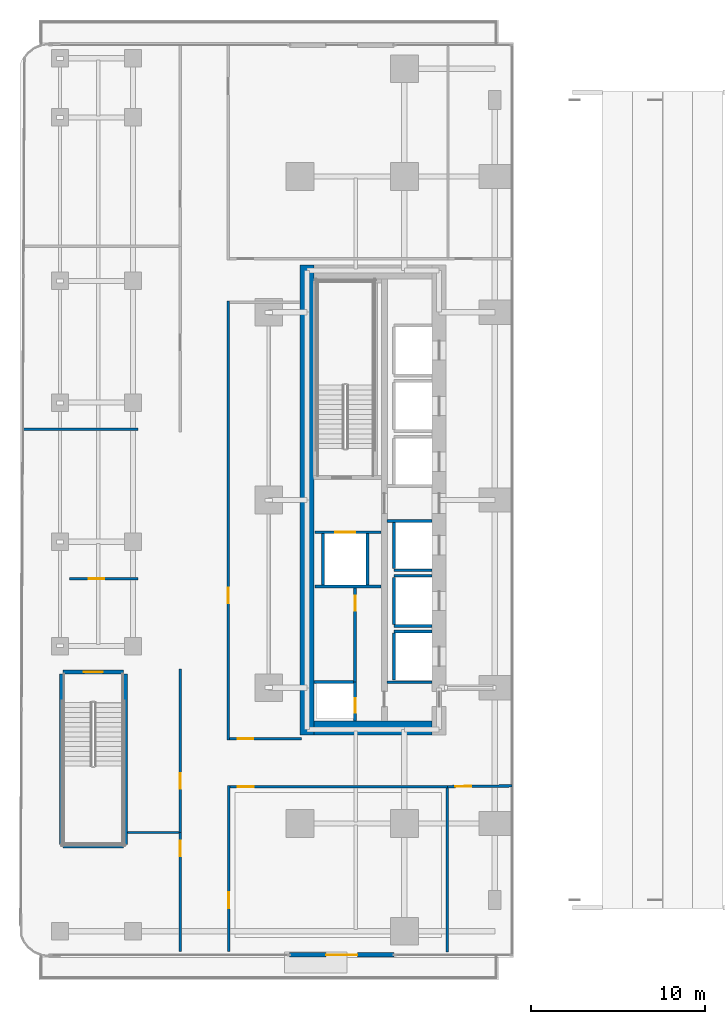
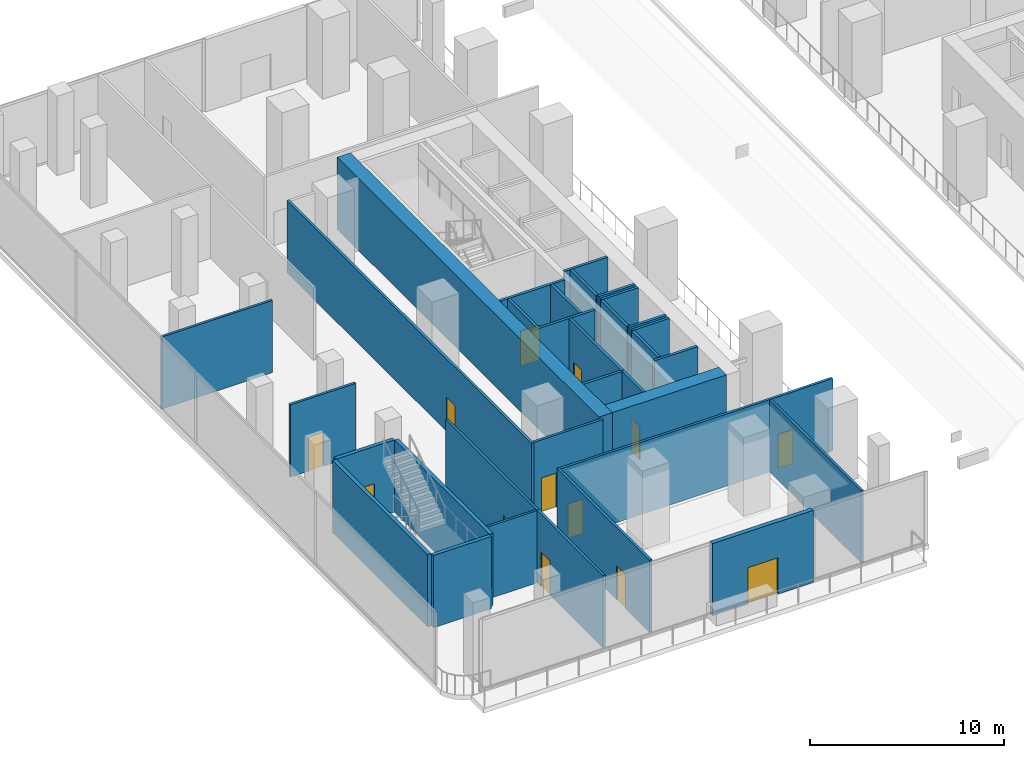
# One storey, part 10 of 32: 34 walls, 13 doors, 13 openings.
"""IFC4 building model written with IfcOpenShell, lengths in metres."""

from ifc_helpers import new_model, si_unit, direction, frame, frame_2d, origin, place, context, subcontext, project, spatial, rectangle, extrude, material, layer, layer_set, type_object, element, fill, save


model = new_model("IFC4")

# Units and contexts
model_context = context("Model", 3, precision=1e-05, world=origin(), true_north=direction((0.0, 1.0)))
body_context = subcontext(model_context, "Body", "Model", "MODEL_VIEW")
ifc_project = project(units=[si_unit("LENGTHUNIT", "METRE"), si_unit("AREAUNIT", "SQUARE_METRE"), si_unit("VOLUMEUNIT", "CUBIC_METRE"), si_unit("PLANEANGLEUNIT", "RADIAN"), si_unit("MASSUNIT", "GRAM", prefix="KILO")], contexts=[model_context])

# Site, building, storey
site_placement = place(None, origin())
site = spatial("IfcSite", under=ifc_project, at=site_placement, CompositionType="ELEMENT")
building_placement = place(site_placement, origin())
building = spatial("IfcBuilding", under=site, at=building_placement, Name="Khairoan Windgate Tower", CompositionType="ELEMENT")
storey_placement = place(building_placement, frame((0.0, 0.0, 16.0)))
storey = spatial("IfcBuildingStorey", under=building, at=storey_placement, Name="L04", CompositionType="ELEMENT", Elevation=16.0)

# Walls
ifc_material_1 = material(Name="Concrete C40/50", Category="concrete")
ifc_layer_1 = layer(ifc_material_1, 0.159912109375, Name="Concrete C40/50")
ifc_layer_set_1 = layer_set([ifc_layer_1], Name="Concrete C40/50")
wall_type_1 = type_object("IfcWallType", Name="Core and Hoistway Enclosure Wall", PredefinedType="STANDARD", material=ifc_layer_set_1)
wall_1_placement = place(storey_placement, frame((-14.989990234375, -4.0400390625, 0.0), z_axis=(0.0, 0.0, 1.0), x_axis=(1.0, 0.0, 0.0)))
element("IfcWall", 1, at=wall_1_placement, inside=storey, type_object=wall_type_1, Name="L04 Lift PL4 Hoistway Divider S", PredefinedType="STANDARD", context=body_context, shape_type="SweptSolid", body=[
    extrude(rectangle(XDim=2.18994140625, YDim=0.159912109375, at=frame_2d((1.094970703125, 0.0))), origin(), (0.0, 0.0, 1.0), 4.550048828125),
])
wall_2_placement = place(storey_placement, frame((-14.989990234375, -3.949951171875, 0.0), z_axis=(0.0, 0.0, 1.0), x_axis=(0.0, 1.0, 0.0)))
element("IfcWall", 2, at=wall_2_placement, inside=storey, type_object=wall_type_1, Name="L04 Lift PL4 Hoistway Back Wall", PredefinedType="STANDARD", context=body_context, shape_type="SweptSolid", body=[
    extrude(rectangle(XDim=2.699951171875, YDim=0.159912109375, at=frame_2d((1.35009765625, 0.0))), origin(), (0.0, 0.0, 1.0), 4.550048828125),
])
for number, where, z_axis, x_axis, name in (
    (3, (-14.989990234375, -7.239990234375, 0.0), (0.0, 0.0, 1.0), (1.0, 0.0, 0.0), "L04 Lift PL5 Hoistway Divider S"),
    (4, (-14.989990234375, -4.360107421875, 0.0), (0.0, 0.0, 1.0), (1.0, 0.0, 0.0), "L04 Lift PL5 Hoistway Divider N"),
):
    element("IfcWall", number, at=place(storey_placement, frame(where, z_axis=z_axis, x_axis=x_axis)), inside=storey, type_object=wall_type_1, Name=name, PredefinedType="STANDARD", context=body_context, shape_type="SweptSolid", body=[
        extrude(rectangle(XDim=2.18994140625, YDim=0.159912109375, at=frame_2d((1.094970703125, 0.0))), origin(), (0.0, 0.0, 1.0), 4.550048828125),
    ])
wall_3_placement = place(storey_placement, frame((-14.989990234375, -7.14990234375, 0.0), z_axis=(0.0, 0.0, 1.0), x_axis=(0.0, 1.0, 0.0)))
element("IfcWall", 5, at=wall_3_placement, inside=storey, type_object=wall_type_1, Name="L04 Lift PL5 Hoistway Back Wall", PredefinedType="STANDARD", context=body_context, shape_type="SweptSolid", body=[
    extrude(rectangle(XDim=2.699951171875, YDim=0.159912109375, at=frame_2d((1.35009765625, 0.0))), origin(), (0.0, 0.0, 1.0), 4.550048828125),
])
wall_4_placement = place(storey_placement, frame((-14.989990234375, -7.56005859375, 0.0), z_axis=(0.0, 0.0, 1.0), x_axis=(1.0, 0.0, 0.0)))
element("IfcWall", 6, at=wall_4_placement, inside=storey, type_object=wall_type_1, Name="L04 Lift PL6 Hoistway Divider N", PredefinedType="STANDARD", context=body_context, shape_type="SweptSolid", body=[
    extrude(rectangle(XDim=2.18994140625, YDim=0.159912109375, at=frame_2d((1.094970703125, 0.0))), origin(), (0.0, 0.0, 1.0), 4.550048828125),
])
wall_5_placement = place(storey_placement, frame((-14.989990234375, -10.35009765625, 0.0), z_axis=(0.0, 0.0, 1.0), x_axis=(0.0, 1.0, 0.0)))
element("IfcWall", 7, at=wall_5_placement, inside=storey, type_object=wall_type_1, Name="L04 Lift PL6 Hoistway Back Wall", PredefinedType="STANDARD", context=body_context, shape_type="SweptSolid", body=[
    extrude(rectangle(XDim=2.7001953125, YDim=0.159912109375, at=frame_2d((1.35009765625, 0.0))), origin(), (0.0, 0.0, 1.0), 4.550048828125),
])

# Wall, opening, door
wall_6_placement = place(storey_placement, frame((-19.550048828125, -1.860107421875, 0.0), z_axis=(0.0, 0.0, 1.0), x_axis=(1.0, 0.0, 0.0)))
wall_6 = element("IfcWall", 8, at=wall_6_placement, inside=storey, type_object=wall_type_1, Name="L04 Core Shaft Wall SW-FL2-L04", PredefinedType="STANDARD", context=body_context, shape_type="SweptSolid", body=[
    extrude(rectangle(XDim=3.800048828125, YDim=0.159912109375, at=frame_2d((1.89990234375, 0.0))), origin(), (0.0, 0.0, 1.0), 4.550048828125),
])
opening_1_placement = place(wall_6_placement, frame((1.179931640625, 0.0, 0.0)))
opening_1 = element("IfcOpeningElement", 9, at=opening_1_placement, cuts=wall_6, Name="Opening LD-FL", PredefinedType="OPENING", context=body_context, shape_type="SweptSolid", body=[
    extrude(rectangle(XDim=1.14990234375, YDim=2.199951171875, at=frame_2d((0.574951171875, 1.10009765625))), frame((0.0, 0.08984375, 0.0), z_axis=(0.0, -1.0, 0.0), x_axis=(1.0, 0.0, 0.0)), (0.0, 0.0, 1.0), 0.179931640625),
])
ifc_material_2 = material(Name="Steel S355", Category="steel")
door_type_1 = type_object("IfcDoorType", Name="Firefighting Lift Sliding Landing Door LD-FL 1150x2200", OperationType="DOUBLE_DOOR_SLIDING", PredefinedType="DOOR", material=ifc_material_2)
door_1_placement = place(opening_1_placement, origin())
door_1 = element("IfcDoor", 10, at=door_1_placement, inside=storey, type_object=door_type_1, Name="L04 Firefighting Lift FL2 Landing Door", OperationType="DOUBLE_DOOR_SLIDING", OverallHeight=2.199951171875, OverallWidth=1.14990234375, PredefinedType="DOOR", context=body_context, shape_type="SweptSolid", body=[
    extrude(rectangle(XDim=1.14990234375, YDim=2.199951171875, at=frame_2d((0.574951171875, 1.10009765625))), frame((0.0, 0.02490234375, 0.0), z_axis=(0.0, -1.0, 0.0), x_axis=(1.0, 0.0, 0.0)), (0.0, 0.0, 1.0), 0.050048828125),
])
fill(opening_1, door_1)

# Walls
wall_7_placement = place(storey_placement, frame((-19.550048828125, -4.97998046875, 0.0), z_axis=(0.0, 0.0, 1.0), x_axis=(1.0, 0.0, 0.0)))
element("IfcWall", 11, at=wall_7_placement, inside=storey, type_object=wall_type_1, Name="L04 Core Shaft Wall SW-FL2B-L04", PredefinedType="STANDARD", context=body_context, shape_type="SweptSolid", body=[
    extrude(rectangle(XDim=3.800048828125, YDim=0.159912109375, at=frame_2d((1.89990234375, 0.0))), origin(), (0.0, 0.0, 1.0), 4.550048828125),
])
for number, where, z_axis, x_axis, name in (
    (12, (-19.080078125, -4.89990234375, 0.0), (0.0, 0.0, 1.0), (0.0, 1.0, 0.0), "L04 Core Shaft Wall SW-FL2W-L04"),
    (13, (-16.52001953125, -4.89990234375, 0.0), (0.0, 0.0, 1.0), (0.0, 1.0, 0.0), "L04 Core Shaft Wall SW-FL2E-L04"),
):
    element("IfcWall", number, at=place(storey_placement, frame(where, z_axis=z_axis, x_axis=x_axis)), inside=storey, type_object=wall_type_1, Name=name, PredefinedType="STANDARD", context=body_context, shape_type="SweptSolid", body=[
        extrude(rectangle(XDim=2.9599609375, YDim=0.159912109375, at=frame_2d((1.47998046875, 0.0))), origin(), (0.0, 0.0, 1.0), 4.550048828125),
    ])
for number, where, z_axis, x_axis, name in (
    (14, (-15.39990234375, -1.199951171875, 0.0), (0.0, 0.0, 1.0), (1.0, 0.0, 0.0), "L04 Core Shaft Wall SW-WV2-L04"),
    (15, (-15.39990234375, -10.47998046875, 0.0), (0.0, 0.0, 1.0), (1.0, 0.0, 0.0), "L04 Core Shaft Wall SW-WSV-L04"),
):
    element("IfcWall", number, at=place(storey_placement, frame(where, z_axis=z_axis, x_axis=x_axis)), inside=storey, type_object=wall_type_1, Name=name, PredefinedType="STANDARD", context=body_context, shape_type="SweptSolid", body=[
        extrude(rectangle(XDim=2.599853515625, YDim=0.159912109375, at=frame_2d((1.2998046875, 0.0))), origin(), (0.0, 0.0, 1.0), 4.550048828125),
    ])

# Wall, opening, door
ifc_material_3 = material(Name="Precast Concrete C40/50", Category="concrete")
ifc_layer_2 = layer(ifc_material_3, 0.260009765625, Name="Precast Concrete C40/50")
ifc_layer_set_2 = layer_set([ifc_layer_2], Name="Precast Concrete C40/50")
wall_type_2 = type_object("IfcWallType", Name="Insulated Tower Facade Wall EW2 260mm", PredefinedType="STANDARD", material=ifc_layer_set_2)
wall_8_placement = place(storey_placement, frame((-15.0, -26.159912109375, 0.0), z_axis=(0.0, 0.0, 1.0), x_axis=(-1.0, 0.0, 0.0)))
wall_8 = element("IfcWall", 16, at=wall_8_placement, inside=storey, type_object=wall_type_2, Name="L04 South-West Terrace Access Wall", PredefinedType="STANDARD", context=body_context, shape_type="SweptSolid", body=[
    extrude(rectangle(XDim=6.0, YDim=0.260009765625, at=frame_2d((3.0, 0.0))), origin(), (0.0, 0.0, 1.0), 4.550048828125),
])
opening_2_placement = place(wall_8_placement, frame((2.10009765625, 0.0, 0.0)))
opening_2 = element("IfcOpeningElement", 17, at=opening_2_placement, cuts=wall_8, Name="Opening TD1", PredefinedType="OPENING", context=body_context, shape_type="SweptSolid", body=[
    extrude(rectangle(XDim=1.800048828125, YDim=2.300048828125, at=frame_2d((0.89990234375, 1.14990234375))), frame((0.0, 0.139892578125, 0.0), z_axis=(0.0, -1.0, 0.0), x_axis=(1.0, 0.0, 0.0)), (0.0, 0.0, 1.0), 0.280029296875),
])
ifc_material_4 = material(Name="Anodised Bronze Aluminium 6063-T6", Category="aluminium")
door_type_2 = type_object("IfcDoorType", Name="Glazed Double Terrace Door TD-1800", OperationType="DOUBLE_DOOR_SINGLE_SWING", PredefinedType="DOOR", material=ifc_material_4)
door_2_placement = place(opening_2_placement, origin())
door_2 = element("IfcDoor", 18, at=door_2_placement, inside=storey, type_object=door_type_2, Name="L04 South-West Sky Terrace Door", OperationType="DOUBLE_DOOR_SINGLE_SWING", OverallHeight=2.300048828125, OverallWidth=1.800048828125, PredefinedType="DOOR", context=body_context, shape_type="SweptSolid", body=[
    extrude(rectangle(XDim=1.800048828125, YDim=2.300048828125, at=frame_2d((0.89990234375, 1.14990234375))), frame((0.0, 0.02490234375, 0.0), z_axis=(0.0, -1.0, 0.0), x_axis=(1.0, 0.0, 0.0)), (0.0, 0.0, 1.0), 0.050048828125),
])
fill(opening_2, door_2)

# Walls
ifc_material_5 = material(Name="Acoustic Fire-Rated Gypsum Partition", Category="gypsum")
ifc_layer_3 = layer(ifc_material_5, 0.139892578125, Name="Acoustic Fire-Rated Gypsum Partition")
ifc_layer_set_3 = layer_set([ifc_layer_3], Name="Acoustic Fire-Rated Gypsum Partition")
wall_type_3 = type_object("IfcWallType", Name="Inter-Tenancy Compartment Wall", PredefinedType="PARTITIONING", material=ifc_layer_set_3)
wall_9_placement = place(storey_placement, frame((-11.925048828125, -25.99755859375, 0.0), z_axis=(0.0, 0.0, 1.0), x_axis=(0.0, 1.0, 0.0)))
element("IfcWall", 19, at=wall_9_placement, inside=storey, type_object=wall_type_3, Name="L04 Interior Partition 024", PredefinedType="PARTITIONING", context=body_context, shape_type="SweptSolid", body=[
    extrude(rectangle(XDim=9.442626953125, YDim=0.139892578125, at=frame_2d((4.72119140625, 0.0))), origin(), (0.0, 0.0, 1.0), 4.550048828125),
])
wall_10_placement = place(storey_placement, frame((-36.317626953125, 4.080078125, 0.0), z_axis=(0.0, 0.0, 1.0), x_axis=(1.0, 0.0, 0.0)))
element("IfcWall", 20, at=wall_10_placement, inside=storey, type_object=wall_type_3, Name="L04 Interior Partition 029", PredefinedType="PARTITIONING", context=body_context, shape_type="SweptSolid", body=[
    extrude(rectangle(XDim=6.59765625, YDim=0.139892578125, at=frame_2d((3.298828125, 0.0))), origin(), (0.0, 0.0, 1.0), 4.550048828125),
])
wall_11_placement = place(storey_placement, frame((-30.330078125, -19.1201171875, 0.0), z_axis=(0.0, 0.0, 1.0), x_axis=(1.0, 0.0, 0.0)))
element("IfcWall", 21, at=wall_11_placement, inside=storey, type_object=wall_type_3, Name="L04 Interior Partition 034", PredefinedType="PARTITIONING", context=body_context, shape_type="SweptSolid", body=[
    extrude(rectangle(XDim=2.97509765625, YDim=0.139892578125, at=frame_2d((1.487548828125, 0.0))), origin(), (0.0, 0.0, 1.0), 4.550048828125),
])

# Wall, opening, door
ifc_material_6 = material(Name="Concrete C40/50", Category="concrete")
ifc_layer_4 = layer(ifc_material_6, 0.159912109375, Name="Concrete C40/50")
ifc_layer_set_4 = layer_set([ifc_layer_4], Name="Concrete C40/50")
wall_type_4 = type_object("IfcWallType", Name="Plant and Refuge Compartment Wall", PredefinedType="PARTITIONING", material=ifc_layer_set_4)
wall_12_placement = place(storey_placement, frame((-17.22998046875, -12.699951171875, 0.0), z_axis=(0.0, 0.0, 1.0), x_axis=(0.0, 1.0, 0.0)))
wall_12 = element("IfcWall", 22, at=wall_12_placement, inside=storey, type_object=wall_type_4, Name="L04 Interior Partition 001", PredefinedType="PARTITIONING", context=body_context, shape_type="SweptSolid", body=[
    extrude(rectangle(XDim=2.22998046875, YDim=0.159912109375, at=frame_2d((1.114990234375, 0.0))), origin(), (0.0, 0.0, 1.0), 4.550048828125),
])
opening_3_placement = place(wall_12_placement, frame((0.4599609375, 0.0, 0.0)))
opening_3 = element("IfcOpeningElement", 23, at=opening_3_placement, cuts=wall_12, Name="Opening FD-SRV", PredefinedType="OPENING", context=body_context, shape_type="SweptSolid", body=[
    extrude(rectangle(XDim=0.85009765625, YDim=2.10009765625, at=frame_2d((0.425048828125, 1.050048828125))), frame((0.0, 0.08984375, 0.0), z_axis=(0.0, -1.0, 0.0), x_axis=(1.0, 0.0, 0.0)), (0.0, 0.0, 1.0), 0.179931640625),
])
ifc_material_7 = material(Name="Steel S355", Category="steel")
door_type_3 = type_object("IfcDoorType", Name="Core Service and Riser Fire Door FD-SRV 850x2100", OperationType="NOTDEFINED", PredefinedType="DOOR", material=ifc_material_7)
door_3_placement = place(opening_3_placement, origin())
door_3 = element("IfcDoor", 24, at=door_3_placement, inside=storey, type_object=door_type_3, Name="L04 L04-04-L04-05 Door", OperationType="SINGLE_SWING_RIGHT", OverallHeight=2.10009765625, OverallWidth=0.85009765625, PredefinedType="DOOR", context=body_context, shape_type="SweptSolid", body=[
    extrude(rectangle(XDim=0.85009765625, YDim=2.10009765625, at=frame_2d((0.425048828125, 1.050048828125))), frame((0.0, 0.02490234375, 0.0), z_axis=(0.0, -1.0, 0.0), x_axis=(1.0, 0.0, 0.0)), (0.0, 0.0, 1.0), 0.050048828125),
])
fill(opening_3, door_3)

wall_13_placement = place(storey_placement, frame((-17.22998046875, -10.469970703125, 0.0), z_axis=(0.0, 0.0, 1.0), x_axis=(0.0, 1.0, 0.0)))
wall_13 = element("IfcWall", 25, at=wall_13_placement, inside=storey, type_object=wall_type_4, Name="L04 Interior Partition 002", PredefinedType="PARTITIONING", context=body_context, shape_type="SweptSolid", body=[
    extrude(rectangle(XDim=5.409912109375, YDim=0.159912109375, at=frame_2d((2.705078125, 0.0))), origin(), (0.0, 0.0, 1.0), 4.550048828125),
])
opening_4_placement = place(wall_13_placement, frame((4.10009765625, 0.0, 0.0)))
opening_4 = element("IfcOpeningElement", 26, at=opening_4_placement, cuts=wall_13, Name="Opening FD-SRV", PredefinedType="OPENING", context=body_context, shape_type="SweptSolid", body=[
    extrude(rectangle(XDim=0.85009765625, YDim=2.10009765625, at=frame_2d((0.425048828125, 1.050048828125))), frame((0.0, 0.08984375, 0.0), z_axis=(0.0, -1.0, 0.0), x_axis=(1.0, 0.0, 0.0)), (0.0, 0.0, 1.0), 0.179931640625),
])
door_4_placement = place(opening_4_placement, origin())
door_4 = element("IfcDoor", 27, at=door_4_placement, inside=storey, type_object=door_type_3, Name="L04 L04-04-L04-06 Door", OperationType="SINGLE_SWING_LEFT", OverallHeight=2.10009765625, OverallWidth=0.85009765625, PredefinedType="DOOR", context=body_context, shape_type="SweptSolid", body=[
    extrude(rectangle(XDim=0.85009765625, YDim=2.10009765625, at=frame_2d((0.425048828125, 1.050048828125))), frame((0.0, 0.02490234375, 0.0), z_axis=(0.0, -1.0, 0.0), x_axis=(1.0, 0.0, 0.0)), (0.0, 0.0, 1.0), 0.050048828125),
])
fill(opening_4, door_4)

# Wall
wall_14_placement = place(storey_placement, frame((-19.60009765625, -10.469970703125, 0.0), z_axis=(0.0, 0.0, 1.0), x_axis=(1.0, 0.0, 0.0)))
element("IfcWall", 28, at=wall_14_placement, inside=storey, type_object=wall_type_4, Name="L04 Interior Partition 003", PredefinedType="PARTITIONING", context=body_context, shape_type="SweptSolid", body=[
    extrude(rectangle(XDim=2.2900390625, YDim=0.159912109375, at=frame_2d((1.14501953125, 0.0))), origin(), (0.0, 0.0, 1.0), 4.550048828125),
])

# Wall, opening, door
ifc_material_8 = material(Name="Acoustic Fire-Rated Gypsum Partition", Category="gypsum")
ifc_layer_5 = layer(ifc_material_8, 0.14990234375, Name="Acoustic Fire-Rated Gypsum Partition")
ifc_layer_set_5 = layer_set([ifc_layer_5], Name="Acoustic Fire-Rated Gypsum Partition")
wall_type_5 = type_object("IfcWallType", Name="Rated Corridor Partition Wall", PredefinedType="PARTITIONING", material=ifc_layer_set_5)
wall_15_placement = place(storey_placement, frame((-24.5, -25.9580078125, 0.0), z_axis=(0.0, 0.0, 1.0), x_axis=(0.0, 1.0, 0.0)))
wall_15 = element("IfcWall", 29, at=wall_15_placement, inside=storey, type_object=wall_type_5, Name="L04 Interior Partition 010", PredefinedType="PARTITIONING", context=body_context, shape_type="SweptSolid", body=[
    extrude(rectangle(XDim=9.552978515625, YDim=0.14990234375, at=frame_2d((4.7763671875, 0.0))), origin(), (0.0, 0.0, 1.0), 4.550048828125),
])
opening_5_placement = place(wall_15_placement, frame((2.4951171875, 0.0, 0.0)))
opening_5 = element("IfcOpeningElement", 30, at=opening_5_placement, cuts=wall_15, Name="Opening FD-ENT", PredefinedType="OPENING", context=body_context, shape_type="SweptSolid", body=[
    extrude(rectangle(XDim=0.89990234375, YDim=2.14990234375, at=frame_2d((0.449951171875, 1.074951171875))), frame((0.0, 0.0849609375, 0.0), z_axis=(0.0, -1.0, 0.0), x_axis=(1.0, 0.0, 0.0)), (0.0, 0.0, 1.0), 0.169921875),
])
ifc_material_9 = material(Name="Timber Fire-Rated Core", Category="wood")
door_type_4 = type_object("IfcDoorType", Name="Unit and Office Fire Entrance Door FD-ENT 900x2150", OperationType="NOTDEFINED", PredefinedType="DOOR", material=ifc_material_9)
door_5_placement = place(opening_5_placement, origin())
door_5 = element("IfcDoor", 31, at=door_5_placement, inside=storey, type_object=door_type_4, Name="L04 L04-30-L04-35 Door", OperationType="SINGLE_SWING_LEFT", OverallHeight=2.14990234375, OverallWidth=0.89990234375, PredefinedType="DOOR", context=body_context, shape_type="SweptSolid", body=[
    extrude(rectangle(XDim=0.89990234375, YDim=2.14990234375, at=frame_2d((0.449951171875, 1.074951171875))), frame((0.0, 0.02490234375, 0.0), z_axis=(0.0, -1.0, 0.0), x_axis=(1.0, 0.0, 0.0)), (0.0, 0.0, 1.0), 0.050048828125),
])
fill(opening_5, door_5)

wall_16_placement = place(storey_placement, frame((-27.280029296875, -25.94921875, 0.0), z_axis=(0.0, 0.0, 1.0), x_axis=(0.0, 1.0, 0.0)))
wall_16 = element("IfcWall", 32, at=wall_16_placement, inside=storey, type_object=wall_type_5, Name="L04 Interior Partition 013", PredefinedType="PARTITIONING", context=body_context, shape_type="SweptSolid", body=[
    extrude(rectangle(XDim=6.8291015625, YDim=0.14990234375, at=frame_2d((3.41455078125, 0.0))), origin(), (0.0, 0.0, 1.0), 4.550048828125),
])
opening_6_placement = place(wall_16_placement, frame((5.468994140625, 0.0, 0.0)))
opening_6 = element("IfcOpeningElement", 33, at=opening_6_placement, cuts=wall_16, Name="Opening FD-ENT", PredefinedType="OPENING", context=body_context, shape_type="SweptSolid", body=[
    extrude(rectangle(XDim=0.89990234375, YDim=2.14990234375, at=frame_2d((0.449951171875, 1.074951171875))), frame((0.0, 0.0849609375, 0.0), z_axis=(0.0, -1.0, 0.0), x_axis=(1.0, 0.0, 0.0)), (0.0, 0.0, 1.0), 0.169921875),
])
door_6_placement = place(opening_6_placement, origin())
door_6 = element("IfcDoor", 34, at=door_6_placement, inside=storey, type_object=door_type_4, Name="L04 L04-30-L04-41 Door", OperationType="SINGLE_SWING_RIGHT", OverallHeight=2.14990234375, OverallWidth=0.89990234375, PredefinedType="DOOR", context=body_context, shape_type="SweptSolid", body=[
    extrude(rectangle(XDim=0.89990234375, YDim=2.14990234375, at=frame_2d((0.449951171875, 1.074951171875))), frame((0.0, 0.02490234375, 0.0), z_axis=(0.0, -1.0, 0.0), x_axis=(1.0, 0.0, 0.0)), (0.0, 0.0, 1.0), 0.050048828125),
])
fill(opening_6, door_6)

wall_17_placement = place(storey_placement, frame((-24.52001953125, -13.794921875, 0.0), z_axis=(0.0, 0.0, 1.0), x_axis=(0.0, 1.0, 0.0)))
wall_17 = element("IfcWall", 35, at=wall_17_placement, inside=storey, type_object=wall_type_5, Name="L04 Interior Partition 014", PredefinedType="PARTITIONING", context=body_context, shape_type="SweptSolid", body=[
    extrude(rectangle(XDim=25.22998046875, YDim=0.14990234375, at=frame_2d((12.614990234375, 0.0))), origin(), (0.0, 0.0, 1.0), 4.550048828125),
])
opening_7_placement = place(wall_17_placement, frame((7.86328125, 0.0, 0.0)))
opening_7 = element("IfcOpeningElement", 36, at=opening_7_placement, cuts=wall_17, Name="Opening FD-ENT", PredefinedType="OPENING", context=body_context, shape_type="SweptSolid", body=[
    extrude(rectangle(XDim=0.89990234375, YDim=2.14990234375, at=frame_2d((0.449951171875, 1.074951171875))), frame((0.0, 0.0849609375, 0.0), z_axis=(0.0, -1.0, 0.0), x_axis=(1.0, 0.0, 0.0)), (0.0, 0.0, 1.0), 0.169921875),
])
door_7_placement = place(opening_7_placement, origin())
door_7 = element("IfcDoor", 37, at=door_7_placement, inside=storey, type_object=door_type_4, Name="L04 L04-30-L04-59 Door", OperationType="SINGLE_SWING_LEFT", OverallHeight=2.14990234375, OverallWidth=0.89990234375, PredefinedType="DOOR", context=body_context, shape_type="SweptSolid", body=[
    extrude(rectangle(XDim=0.89990234375, YDim=2.14990234375, at=frame_2d((0.449951171875, 1.074951171875))), frame((0.0, 0.02490234375, 0.0), z_axis=(0.0, -1.0, 0.0), x_axis=(1.0, 0.0, 0.0)), (0.0, 0.0, 1.0), 0.050048828125),
])
fill(opening_7, door_7)

wall_18_placement = place(storey_placement, frame((-27.280029296875, -19.1201171875, 0.0), z_axis=(0.0, 0.0, 1.0), x_axis=(0.0, 1.0, 0.0)))
wall_18 = element("IfcWall", 38, at=wall_18_placement, inside=storey, type_object=wall_type_5, Name="L04 Interior Partition 015", PredefinedType="PARTITIONING", context=body_context, shape_type="SweptSolid", body=[
    extrude(rectangle(XDim=9.400146484375, YDim=0.14990234375, at=frame_2d((4.7001953125, 0.0))), origin(), (0.0, 0.0, 1.0), 4.550048828125),
])
opening_8_placement = place(wall_18_placement, frame((2.508544921875, 0.0, 0.0)))
opening_8 = element("IfcOpeningElement", 39, at=opening_8_placement, cuts=wall_18, Name="Opening FD-ENT", PredefinedType="OPENING", context=body_context, shape_type="SweptSolid", body=[
    extrude(rectangle(XDim=0.89990234375, YDim=2.14990234375, at=frame_2d((0.449951171875, 1.074951171875))), frame((0.0, 0.0849609375, 0.0), z_axis=(0.0, -1.0, 0.0), x_axis=(1.0, 0.0, 0.0)), (0.0, 0.0, 1.0), 0.169921875),
])
door_8_placement = place(opening_8_placement, origin())
door_8 = element("IfcDoor", 40, at=door_8_placement, inside=storey, type_object=door_type_4, Name="L04 L04-30-L04-60 Door", OperationType="SINGLE_SWING_RIGHT", OverallHeight=2.14990234375, OverallWidth=0.89990234375, PredefinedType="DOOR", context=body_context, shape_type="SweptSolid", body=[
    extrude(rectangle(XDim=0.89990234375, YDim=2.14990234375, at=frame_2d((0.449951171875, 1.074951171875))), frame((0.0, 0.02490234375, 0.0), z_axis=(0.0, -1.0, 0.0), x_axis=(1.0, 0.0, 0.0)), (0.0, 0.0, 1.0), 0.050048828125),
])
fill(opening_8, door_8)

wall_19_placement = place(storey_placement, frame((-24.425048828125, -16.47998046875, 0.0), z_axis=(0.0, 0.0, 1.0), x_axis=(1.0, 0.0, 0.0)))
wall_19 = element("IfcWall", 41, at=wall_19_placement, inside=storey, type_object=wall_type_5, Name="L04 Interior Partition 017", PredefinedType="PARTITIONING", context=body_context, shape_type="SweptSolid", body=[
    extrude(rectangle(XDim=12.5, YDim=0.14990234375, at=frame_2d((6.25, 0.0))), origin(), (0.0, 0.0, 1.0), 4.550048828125),
])
opening_9_placement = place(wall_19_placement, frame((0.4599609375, 0.0, 0.0)))
opening_9 = element("IfcOpeningElement", 42, at=opening_9_placement, cuts=wall_19, Name="Opening FD-ENT", PredefinedType="OPENING", context=body_context, shape_type="SweptSolid", body=[
    extrude(rectangle(XDim=0.89990234375, YDim=2.14990234375, at=frame_2d((0.449951171875, 1.074951171875))), frame((0.0, 0.0849609375, 0.0), z_axis=(0.0, -1.0, 0.0), x_axis=(1.0, 0.0, 0.0)), (0.0, 0.0, 1.0), 0.169921875),
])
door_9_placement = place(opening_9_placement, origin())
door_9 = element("IfcDoor", 43, at=door_9_placement, inside=storey, type_object=door_type_4, Name="L04 L04-31-L04-35 Door", OperationType="SINGLE_SWING_RIGHT", OverallHeight=2.14990234375, OverallWidth=0.89990234375, PredefinedType="DOOR", context=body_context, shape_type="SweptSolid", body=[
    extrude(rectangle(XDim=0.89990234375, YDim=2.14990234375, at=frame_2d((0.449951171875, 1.074951171875))), frame((0.0, 0.02490234375, 0.0), z_axis=(0.0, -1.0, 0.0), x_axis=(1.0, 0.0, 0.0)), (0.0, 0.0, 1.0), 0.050048828125),
])
fill(opening_9, door_9)

wall_20_placement = place(storey_placement, frame((-24.445068359375, -13.719970703125, 0.0), z_axis=(0.0, 0.0, 1.0), x_axis=(1.0, 0.0, 0.0)))
wall_20 = element("IfcWall", 44, at=wall_20_placement, inside=storey, type_object=wall_type_5, Name="L04 Interior Partition 018", PredefinedType="PARTITIONING", context=body_context, shape_type="SweptSolid", body=[
    extrude(rectangle(XDim=4.135009765625, YDim=0.14990234375, at=frame_2d((2.0673828125, 0.0))), origin(), (0.0, 0.0, 1.0), 4.550048828125),
])
opening_10_placement = place(wall_20_placement, frame((0.4599609375, 0.0, 0.0)))
opening_10 = element("IfcOpeningElement", 45, at=opening_10_placement, cuts=wall_20, Name="Opening FD-ENT", PredefinedType="OPENING", context=body_context, shape_type="SweptSolid", body=[
    extrude(rectangle(XDim=0.89990234375, YDim=2.14990234375, at=frame_2d((0.449951171875, 1.074951171875))), frame((0.0, 0.0849609375, 0.0), z_axis=(0.0, -1.0, 0.0), x_axis=(1.0, 0.0, 0.0)), (0.0, 0.0, 1.0), 0.169921875),
])
door_10_placement = place(opening_10_placement, origin())
door_10 = element("IfcDoor", 46, at=door_10_placement, inside=storey, type_object=door_type_4, Name="L04 L04-31-L04-59 Door", OperationType="SINGLE_SWING_LEFT", OverallHeight=2.14990234375, OverallWidth=0.89990234375, PredefinedType="DOOR", context=body_context, shape_type="SweptSolid", body=[
    extrude(rectangle(XDim=0.89990234375, YDim=2.14990234375, at=frame_2d((0.449951171875, 1.074951171875))), frame((0.0, 0.02490234375, 0.0), z_axis=(0.0, -1.0, 0.0), x_axis=(1.0, 0.0, 0.0)), (0.0, 0.0, 1.0), 0.050048828125),
])
fill(opening_10, door_10)

wall_21_placement = place(storey_placement, frame((-11.925048828125, -16.47998046875, 0.0), z_axis=(0.0, 0.0, 1.0), x_axis=(0.999942081003, 0.010762650212, 0.0)))
wall_21 = element("IfcWall", 47, at=wall_21_placement, inside=storey, type_object=wall_type_5, Name="L04 Interior Partition 019", PredefinedType="PARTITIONING", context=body_context, shape_type="SweptSolid", body=[
    extrude(rectangle(XDim=3.72021484375, YDim=0.14990234375, at=frame_2d((1.860107421875, 0.0))), origin(), (0.0, 0.0, 1.0), 4.550048828125),
])
opening_11_placement = place(wall_21_placement, frame((0.4599609375, 0.0, 0.0)))
opening_11 = element("IfcOpeningElement", 48, at=opening_11_placement, cuts=wall_21, Name="Opening FD-ENT", PredefinedType="OPENING", context=body_context, shape_type="SweptSolid", body=[
    extrude(rectangle(XDim=0.89990234375, YDim=2.14990234375, at=frame_2d((0.449951171875, 1.074951171875))), frame((0.0, 0.0849609375, 0.0), z_axis=(0.0, -1.0, 0.0), x_axis=(1.0, 0.0, 0.0)), (0.0, 0.0, 1.0), 0.169921875),
])
door_11_placement = place(opening_11_placement, origin())
door_11 = element("IfcDoor", 49, at=door_11_placement, inside=storey, type_object=door_type_4, Name="L04 L04-31-L04-65 Door", OperationType="SINGLE_SWING_RIGHT", OverallHeight=2.14990234375, OverallWidth=0.89990234375, PredefinedType="DOOR", context=body_context, shape_type="SweptSolid", body=[
    extrude(rectangle(XDim=0.89990234375, YDim=2.14990234375, at=frame_2d((0.449951171875, 1.074951171875))), frame((0.0, 0.02490234375, 0.0), z_axis=(0.0, -1.0, 0.0), x_axis=(1.0, 0.0, 0.0)), (0.0, 0.0, 1.0), 0.050048828125),
])
fill(opening_11, door_11)

wall_22_placement = place(storey_placement, frame((-33.639892578125, -4.52001953125, 0.0), z_axis=(0.0, 0.0, 1.0), x_axis=(1.0, 0.0, 0.0)))
wall_22 = element("IfcWall", 50, at=wall_22_placement, inside=storey, type_object=wall_type_5, Name="L04 Interior Partition 023", PredefinedType="PARTITIONING", context=body_context, shape_type="SweptSolid", body=[
    extrude(rectangle(XDim=3.919921875, YDim=0.14990234375, at=frame_2d((1.9599609375, 0.0))), origin(), (0.0, 0.0, 1.0), 4.550048828125),
])
opening_12_placement = place(wall_22_placement, frame((1.090087890625, 0.0, 0.0)))
opening_12 = element("IfcOpeningElement", 51, at=opening_12_placement, cuts=wall_22, Name="Opening FD-ENT", PredefinedType="OPENING", context=body_context, shape_type="SweptSolid", body=[
    extrude(rectangle(XDim=0.89990234375, YDim=2.14990234375, at=frame_2d((0.449951171875, 1.074951171875))), frame((0.0, 0.0849609375, 0.0), z_axis=(0.0, -1.0, 0.0), x_axis=(1.0, 0.0, 0.0)), (0.0, 0.0, 1.0), 0.169921875),
])
door_12_placement = place(opening_12_placement, origin())
door_12 = element("IfcDoor", 52, at=door_12_placement, inside=storey, type_object=door_type_4, Name="L04 L04-33-L04-38 Door", OperationType="SINGLE_SWING_RIGHT", OverallHeight=2.14990234375, OverallWidth=0.89990234375, PredefinedType="DOOR", context=body_context, shape_type="SweptSolid", body=[
    extrude(rectangle(XDim=0.89990234375, YDim=2.14990234375, at=frame_2d((0.449951171875, 1.074951171875))), frame((0.0, 0.02490234375, 0.0), z_axis=(0.0, -1.0, 0.0), x_axis=(1.0, 0.0, 0.0)), (0.0, 0.0, 1.0), 0.050048828125),
])
fill(opening_12, door_12)

# Walls
ifc_material_10 = material(Name="Concrete C70/85", Category="concrete")
ifc_layer_6 = layer(ifc_material_10, 0.800048828125, Name="Concrete C70/85")
ifc_layer_set_6 = layer_set([ifc_layer_6], Name="Concrete C70/85")
wall_type_6 = type_object("IfcWallType", Name="Shear Wall CW-W1 800mm", PredefinedType="SHEAR", material=ifc_layer_set_6)
wall_23_placement = place(storey_placement, frame((-20.0, -13.5, 0.0), z_axis=(0.0, 0.0, 1.0), x_axis=(0.0, 1.0, 0.0)))
element("IfcWall", 53, at=wall_23_placement, inside=storey, type_object=wall_type_6, Name="W Core West Shear Wall L04", PredefinedType="SHEAR", context=body_context, shape_type="SweptSolid", body=[
    extrude(rectangle(XDim=27.0, YDim=0.800048828125, at=frame_2d((13.5, 0.0))), origin(), (0.0, 0.0, 1.0), 4.550048828125),
])
wall_24_placement = place(storey_placement, frame((-19.60009765625, -13.10009765625, 0.0), z_axis=(0.0, 0.0, 1.0), x_axis=(1.0, 0.0, 0.0)))
element("IfcWall", 54, at=wall_24_placement, inside=storey, type_object=wall_type_6, Name="W Core South Shear Wall L04", PredefinedType="SHEAR", context=body_context, shape_type="SweptSolid", body=[
    extrude(rectangle(XDim=6.800048828125, YDim=0.800048828125, at=frame_2d((3.39990234375, 0.0))), origin(), (0.0, 0.0, 1.0), 4.550048828125),
])

# Wall, opening, door
ifc_material_11 = material(Name="Concrete C50/60", Category="concrete")
ifc_layer_7 = layer(ifc_material_11, 0.219970703125, Name="Concrete C50/60")
ifc_layer_set_7 = layer_set([ifc_layer_7], Name="Concrete C50/60")
wall_type_7 = type_object("IfcWallType", Name="Shear Wall SW-ST 220mm", PredefinedType="SHEAR", material=ifc_layer_set_7)
wall_25_placement = place(storey_placement, frame((-30.550048828125, -9.889892578125, 0.0), z_axis=(0.0, 0.0, 1.0), x_axis=(-1.0, 0.0, 0.0)))
wall_25 = element("IfcWall", 55, at=wall_25_placement, inside=storey, type_object=wall_type_7, Name="L04 ST4 North Bearing Wall", PredefinedType="SHEAR", context=body_context, shape_type="SweptSolid", body=[
    extrude(rectangle(XDim=3.469970703125, YDim=0.219970703125, at=frame_2d((1.73486328125, 0.0))), origin(), (0.0, 0.0, 1.0), 4.550048828125),
])
opening_13_placement = place(wall_25_placement, frame((1.179931640625, 0.0, 0.0)))
opening_13 = element("IfcOpeningElement", 56, at=opening_13_placement, cuts=wall_25, Name="Opening FD-ST", PredefinedType="OPENING", context=body_context, shape_type="SweptSolid", body=[
    extrude(rectangle(XDim=1.10009765625, YDim=2.199951171875, at=frame_2d((0.550048828125, 1.10009765625))), frame((0.0, 0.119873046875, 0.0), z_axis=(0.0, -1.0, 0.0), x_axis=(1.0, 0.0, 0.0)), (0.0, 0.0, 1.0), 0.239990234375),
])
ifc_material_12 = material(Name="Steel S355", Category="steel")
door_type_5 = type_object("IfcDoorType", Name="Smokeproof Stair Fire Door FD-ST 1100x2200", OperationType="NOTDEFINED", PredefinedType="DOOR", material=ifc_material_12)
door_13_placement = place(opening_13_placement, origin())
door_13 = element("IfcDoor", 57, at=door_13_placement, inside=storey, type_object=door_type_5, Name="L04 Stair ST4 Fire Door", OperationType="SINGLE_SWING_LEFT", OverallHeight=2.199951171875, OverallWidth=1.10009765625, PredefinedType="DOOR", context=body_context, shape_type="SweptSolid", body=[
    extrude(rectangle(XDim=1.10009765625, YDim=2.199951171875, at=frame_2d((0.550048828125, 1.10009765625))), frame((0.0, 0.02490234375, 0.0), z_axis=(0.0, -1.0, 0.0), x_axis=(1.0, 0.0, 0.0)), (0.0, 0.0, 1.0), 0.050048828125),
])
fill(opening_13, door_13)

# Walls
wall_26_placement = place(storey_placement, frame((-34.02001953125, -19.909912109375, 0.0), z_axis=(0.0, 0.0, 1.0), x_axis=(1.0, 0.0, 0.0)))
element("IfcWall", 58, at=wall_26_placement, inside=storey, type_object=wall_type_7, Name="L04 ST4 South Bearing Wall", PredefinedType="SHEAR", context=body_context, shape_type="SweptSolid", body=[
    extrude(rectangle(XDim=3.469970703125, YDim=0.219970703125, at=frame_2d((1.73486328125, 0.0))), origin(), (0.0, 0.0, 1.0), 4.550048828125),
])
for number, where, z_axis, x_axis, name in (
    (59, (-34.1298828125, -19.800048828125, 0.0), (0.0, 0.0, 1.0), (0.0, 1.0, 0.0), "L04 ST4 West Bearing Wall"),
    (60, (-30.43994140625, -19.800048828125, 0.0), (0.0, 0.0, 1.0), (0.0, 1.0, 0.0), "L04 ST4 East Bearing Wall"),
):
    element("IfcWall", number, at=place(storey_placement, frame(where, z_axis=z_axis, x_axis=x_axis)), inside=storey, type_object=wall_type_7, Name=name, PredefinedType="SHEAR", context=body_context, shape_type="SweptSolid", body=[
        extrude(rectangle(XDim=9.800048828125, YDim=0.219970703125, at=frame_2d((4.89990234375, 0.0))), origin(), (0.0, 0.0, 1.0), 4.550048828125),
    ])

save(model, "model.ifc")
